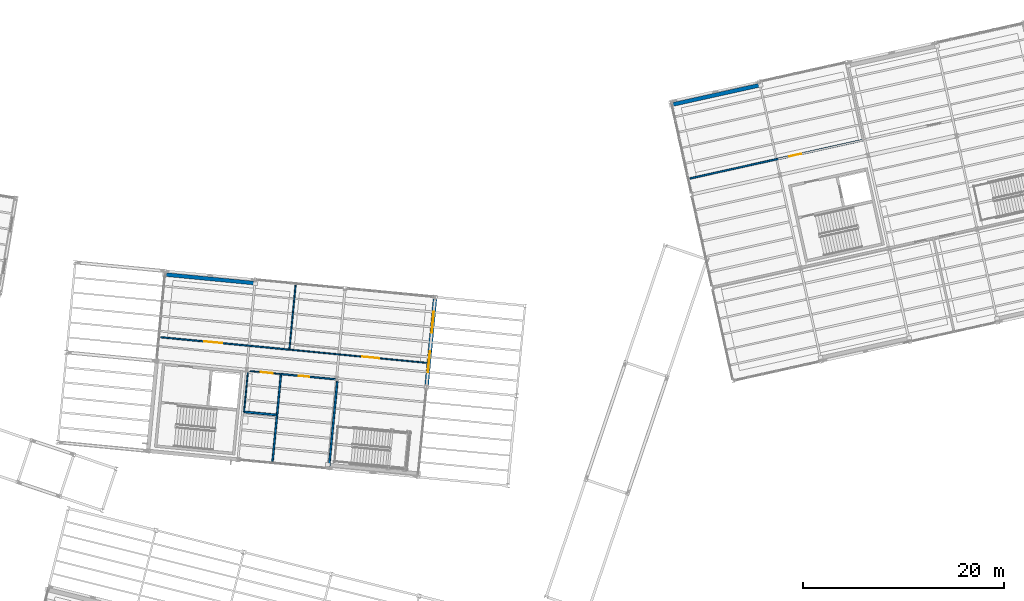
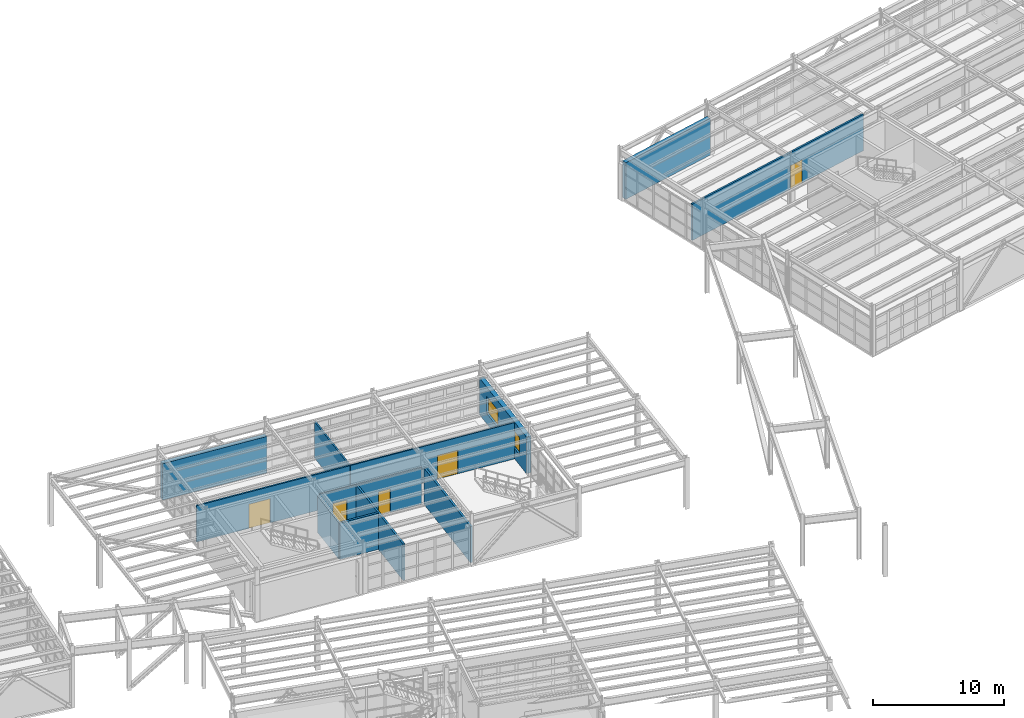
# One storey, part 93 of 109: 13 walls, 5 doors, 2 windows, 7 openings.
"""IFC4 building model written with IfcOpenShell, lengths in metres."""

from ifc_helpers import new_model, si_unit, direction, frame, frame_2d, origin, origin_with_axes, place, context, subcontext, project, spatial, rectangle, extrude, material, layer, layer_set, type_object, element, fill, save


model = new_model("IFC4")

# Units and contexts
model_context = context("Model", 3, precision=1e-05, world=origin(), true_north=direction((0.0, 1.0)))
body_context = subcontext(model_context, "Body", "Model", "MODEL_VIEW")
ifc_project = project(units=[si_unit("LENGTHUNIT", "METRE"), si_unit("AREAUNIT", "SQUARE_METRE"), si_unit("VOLUMEUNIT", "CUBIC_METRE"), si_unit("PLANEANGLEUNIT", "RADIAN"), si_unit("MASSUNIT", "GRAM", prefix="KILO")], contexts=[model_context])

# Site, building, storey
site_placement = place(None, origin())
site = spatial("IfcSite", under=ifc_project, at=site_placement, CompositionType="ELEMENT")
building_placement = place(site_placement, origin())
building = spatial("IfcBuilding", under=site, at=building_placement, Name="Vireo Bluff Cable Station", CompositionType="ELEMENT")
storey_placement = place(building_placement, frame((0.0, 0.0, 4.800048828125)))
storey = spatial("IfcBuildingStorey", under=building, at=storey_placement, Name="L01", CompositionType="ELEMENT", Elevation=4.800048828125)

# Walls
ifc_material_1 = material(Name="Precast concrete f'c 45 MPa", Category="concrete")
ifc_layer_1 = layer(ifc_material_1, 0.3798828125, Name="Precast concrete f'c 45 MPa")
ifc_layer_set_1 = layer_set([ifc_layer_1], Name="Precast concrete f'c 45 MPa")
wall_type_1 = type_object("IfcWallType", Name="EW-PRECAST-380", PredefinedType="SOLIDWALL", material=ifc_layer_set_1)
wall_1_placement = place(storey_placement, frame((69.55908203125, 84.5703125, 0.0), z_axis=(0.0, 0.0, 1.0), x_axis=(0.995394483425, -0.095863561205, 0.0)))
element("IfcWall", 1, at=wall_1_placement, inside=storey, type_object=wall_type_1, Name="V3 L01 north exterior wall 55", PredefinedType="SOLIDWALL", context=body_context, shape_type="SweptSolid", body=[
    extrude(rectangle(XDim=8.740478515625, YDim=0.3798828125, at=frame_2d((4.3701171875, 0.0))), origin(), (0.0, 0.0, 1.0), 3.39990234375),
])
ifc_layer_2 = layer(ifc_material_1, 0.389892578125, Name="Precast concrete f'c 45 MPa")
ifc_layer_set_2 = layer_set([ifc_layer_2], Name="Precast concrete f'c 45 MPa")
wall_type_2 = type_object("IfcWallType", Name="EW-PRECAST-390", PredefinedType="SOLIDWALL", material=ifc_layer_set_2)
wall_2_placement = place(storey_placement, frame((120.031494140625, 101.5205078125, 0.0), z_axis=(0.0, 0.0, 1.0), x_axis=(0.976297355636, 0.216433531086, 0.0)))
element("IfcWall", 2, at=wall_2_placement, inside=storey, type_object=wall_type_2, Name="V2 L01 north exterior wall 36", PredefinedType="SOLIDWALL", context=body_context, shape_type="SweptSolid", body=[
    extrude(rectangle(XDim=8.739990234375, YDim=0.389892578125, at=frame_2d((4.3701171875, 0.0))), origin(), (0.0, 0.0, 1.0), 3.39990234375),
])

# Wall, openings, windows
wall_3_placement = place(storey_placement, frame((96.321533203125, 82.150634765625, 0.0), z_axis=(0.0, 0.0, 1.0), x_axis=(-0.095849788243, -0.995395809763, 0.0)))
wall_3 = element("IfcWall", 3, at=wall_3_placement, inside=storey, type_object=wall_type_2, Name="V3 L01 east exterior wall 56", PredefinedType="SOLIDWALL", context=body_context, shape_type="SweptSolid", body=[
    extrude(rectangle(XDim=8.634765625, YDim=0.389892578125, at=frame_2d((4.3173828125, 0.0))), origin(), (0.0, 0.0, 1.0), 3.39990234375),
])
opening_1_placement = place(wall_3_placement, frame((1.28125, 0.0, 0.949951171875)))
opening_1 = element("IfcOpeningElement", 4, at=opening_1_placement, cuts=wall_3, Name="Opening W-06", PredefinedType="OPENING", context=body_context, shape_type="SweptSolid", body=[
    extrude(rectangle(XDim=2.10009765625, YDim=1.60009765625, at=frame_2d((1.050048828125, 0.800048828125))), frame((0.0, 0.205078125, 0.0), z_axis=(0.0, -1.0, 0.0), x_axis=(1.0, 0.0, 0.0)), (0.0, 0.0, 1.0), 0.409912109375),
])
opening_2_placement = place(wall_3_placement, frame((5.253173828125, 0.0, 0.949951171875)))
opening_2 = element("IfcOpeningElement", 5, at=opening_2_placement, cuts=wall_3, Name="Opening W-06", PredefinedType="OPENING", context=body_context, shape_type="SweptSolid", body=[
    extrude(rectangle(XDim=2.10009765625, YDim=1.60009765625, at=frame_2d((1.050048828125, 0.800048828125))), frame((0.0, 0.205078125, 0.0), z_axis=(0.0, -1.0, 0.0), x_axis=(1.0, 0.0, 0.0)), (0.0, 0.0, 1.0), 0.409912109375),
])
ifc_material_2 = material(Name="Laminated Low-E Insulated Glass", Category="glass")
window_type = type_object("IfcWindowType", Name="WIN-2100X1600", PartitioningType="SINGLE_PANEL", PredefinedType="WINDOW", material=ifc_material_2)
window_1_placement = place(opening_1_placement, origin_with_axes())
window_1 = element("IfcWindow", 6, at=window_1_placement, inside=storey, type_object=window_type, Name="V3 L01 east window 5", OverallHeight=1.60009765625, OverallWidth=2.10009765625, PartitioningType="SINGLE_PANEL", PredefinedType="WINDOW", context=body_context, shape_type="SweptSolid", body=[
    extrude(rectangle(XDim=2.10009765625, YDim=1.60009765625, at=frame_2d((1.050048828125, 0.800048828125))), frame((0.0, 0.030029296875, 0.0), z_axis=(0.0, -1.0, 0.0), x_axis=(1.0, 0.0, 0.0)), (0.0, 0.0, 1.0), 0.06005859375),
])
fill(opening_1, window_1)
window_2_placement = place(opening_2_placement, origin_with_axes())
window_2 = element("IfcWindow", 7, at=window_2_placement, inside=storey, type_object=window_type, Name="V3 L01 east window 6", OverallHeight=1.60009765625, OverallWidth=2.10009765625, PartitioningType="SINGLE_PANEL", PredefinedType="WINDOW", context=body_context, shape_type="SweptSolid", body=[
    extrude(rectangle(XDim=2.10009765625, YDim=1.60009765625, at=frame_2d((1.050048828125, 0.800048828125))), frame((0.0, 0.030029296875, 0.0), z_axis=(0.0, -1.0, 0.0), x_axis=(1.0, 0.0, 0.0)), (0.0, 0.0, 1.0), 0.06005859375),
])
fill(opening_2, window_2)

# Wall, opening, door
ifc_material_3 = material(Name="Fire-Rated Gypsum Board Partition")
ifc_layer_3 = layer(ifc_material_3, 0.110107421875, Name="Fire-Rated Gypsum Board Partition")
ifc_layer_set_3 = layer_set([ifc_layer_3], Name="Fire-Rated Gypsum Board Partition")
wall_type_3 = type_object("IfcWallType", Name="PT-1HR-110", PredefinedType="PARTITIONING", material=ifc_layer_set_3)
wall_4_placement = place(storey_placement, frame((77.898193359375, 74.966796875, 0.0), z_axis=(0.0, 0.0, 1.0), x_axis=(0.995391266015, -0.095896963143, 0.0)))
wall_4 = element("IfcWall", 8, at=wall_4_placement, inside=storey, type_object=wall_type_3, Name="V3 L01 Accessible WC L01-V3 N partition", PredefinedType="PARTITIONING", context=body_context, shape_type="SweptSolid", body=[
    extrude(rectangle(XDim=3.050048828125, YDim=0.110107421875, at=frame_2d((1.52490234375, 0.0))), origin(), (0.0, 0.0, 1.0), 3.3798828125),
])
opening_3_placement = place(wall_4_placement, frame((1.08935546875, 0.0, 0.0)))
opening_3 = element("IfcOpeningElement", 9, at=opening_3_placement, cuts=wall_4, Name="Opening D-0081", PredefinedType="OPENING", context=body_context, shape_type="SweptSolid", body=[
    extrude(rectangle(XDim=1.179931640625, YDim=2.179931640625, at=frame_2d((0.58984375, 1.08984375))), frame((0.0, 0.06494140625, 0.0), z_axis=(0.0, -1.0, 0.0), x_axis=(1.0, 0.0, 0.0)), (0.0, 0.0, 1.0), 0.130126953125),
])
ifc_material_4 = material(Name="Anodized Aluminium 6063-T6", Category="aluminium")
door_type_1 = type_object("IfcDoorType", Name="IDOOR60-1180X2180", OperationType="NOTDEFINED", PredefinedType="DOOR", material=ifc_material_4)
door_1_placement = place(opening_3_placement, origin_with_axes())
door_1 = element("IfcDoor", 10, at=door_1_placement, inside=storey, type_object=door_type_1, Name="V3 L01 Accessible WC L01-V3 door D-0081", OperationType="SINGLE_SWING_RIGHT", OverallHeight=2.179931640625, OverallWidth=1.179931640625, PredefinedType="DOOR", context=body_context, shape_type="SweptSolid", body=[
    extrude(rectangle(XDim=1.179931640625, YDim=2.179931640625, at=frame_2d((0.58984375, 1.08984375))), frame((0.0, 0.02490234375, 0.0), z_axis=(0.0, -1.0, 0.0), x_axis=(1.0, 0.0, 0.0)), (0.0, 0.0, 1.0), 0.050048828125),
])
fill(opening_3, door_1)

ifc_layer_4 = layer(ifc_material_3, 0.1201171875, Name="Fire-Rated Gypsum Board Partition")
ifc_layer_set_4 = layer_set([ifc_layer_4], Name="Fire-Rated Gypsum Board Partition")
wall_type_4 = type_object("IfcWallType", Name="PT-1HR-120", PredefinedType="PARTITIONING", material=ifc_layer_set_4)
wall_5_placement = place(storey_placement, frame((95.537109375, 75.77978515625, 0.0), z_axis=(0.0, 0.0, 1.0), x_axis=(-0.995395873142, 0.095849130052, 0.0)))
wall_5 = element("IfcWall", 11, at=wall_5_placement, inside=storey, type_object=wall_type_4, Name="V3 L01 Operations Archive Room S partition", PredefinedType="PARTITIONING", context=body_context, shape_type="SweptSolid", body=[
    extrude(rectangle(XDim=13.780029296875, YDim=0.1201171875, at=frame_2d((6.89013671875, 0.0))), origin(), (0.0, 0.0, 1.0), 3.3798828125),
])
opening_4_placement = place(wall_5_placement, frame((4.779052734375, 0.0, 0.0)))
opening_4 = element("IfcOpeningElement", 12, at=opening_4_placement, cuts=wall_5, Name="Opening D-0078", PredefinedType="OPENING", context=body_context, shape_type="SweptSolid", body=[
    extrude(rectangle(XDim=1.699951171875, YDim=2.199951171875, at=frame_2d((0.85009765625, 1.10009765625))), frame((0.0, 0.070068359375, 0.0), z_axis=(0.0, -1.0, 0.0), x_axis=(1.0, 0.0, 0.0)), (0.0, 0.0, 1.0), 0.14013671875),
])
door_type_2 = type_object("IfcDoorType", Name="IDOOR60-1700X2200", OperationType="NOTDEFINED", PredefinedType="DOOR", material=ifc_material_4)
door_2_placement = place(opening_4_placement, origin_with_axes())
door_2 = element("IfcDoor", 13, at=door_2_placement, inside=storey, type_object=door_type_2, Name="V3 L01 Operations Archive Room door D-0078", OperationType="DOUBLE_DOOR_SINGLE_SWING", OverallHeight=2.199951171875, OverallWidth=1.699951171875, PredefinedType="DOOR", context=body_context, shape_type="SweptSolid", body=[
    extrude(rectangle(XDim=1.699951171875, YDim=2.199951171875, at=frame_2d((0.85009765625, 1.10009765625))), frame((0.0, 0.02490234375, 0.0), z_axis=(0.0, -1.0, 0.0), x_axis=(1.0, 0.0, 0.0)), (0.0, 0.0, 1.0), 0.050048828125),
])
fill(opening_4, door_2)

# Walls
wall_6_placement = place(storey_placement, frame((77.305908203125, 70.90478515625, 0.0), z_axis=(0.0, 0.0, 1.0), x_axis=(0.095902060697, 0.995390774899, 0.0)))
element("IfcWall", 14, at=wall_6_placement, inside=storey, type_object=wall_type_4, Name="V3 L01 Accessible WC L01-V3 W partition", PredefinedType="PARTITIONING", context=body_context, shape_type="SweptSolid", body=[
    extrude(rectangle(XDim=3.900146484375, YDim=0.1201171875, at=frame_2d((1.9501953125, 0.0))), origin(), (0.0, 0.0, 1.0), 3.3798828125),
])
ifc_layer_5 = layer(ifc_material_3, 0.1298828125, Name="Fire-Rated Gypsum Board Partition")
ifc_layer_set_5 = layer_set([ifc_layer_5], Name="Fire-Rated Gypsum Board Partition")
wall_type_5 = type_object("IfcWallType", Name="PT-1HR-130", PredefinedType="PARTITIONING", material=ifc_layer_set_5)
wall_7_placement = place(storey_placement, frame((81.820556640625, 77.1005859375, 0.0), z_axis=(0.0, 0.0, 1.0), x_axis=(0.095871571659, 0.995393711929, 0.0)))
element("IfcWall", 15, at=wall_7_placement, inside=storey, type_object=wall_type_5, Name="V3 L01 Operations Archive Room W partition", PredefinedType="PARTITIONING", context=body_context, shape_type="SweptSolid", body=[
    extrude(rectangle(XDim=6.429931640625, YDim=0.1298828125, at=frame_2d((3.21484375, 0.0))), origin(), (0.0, 0.0, 1.0), 3.3798828125),
])

# Wall, opening, door
ifc_layer_6 = layer(ifc_material_3, 0.139892578125, Name="Fire-Rated Gypsum Board Partition")
ifc_layer_set_6 = layer_set([ifc_layer_6], Name="Fire-Rated Gypsum Board Partition")
wall_type_6 = type_object("IfcWallType", Name="PT-1HR-140", PredefinedType="PARTITIONING", material=ifc_layer_set_6)
wall_8_placement = place(storey_placement, frame((81.77099609375, 77.10546875, 0.0), z_axis=(0.0, 0.0, 1.0), x_axis=(-0.995395980715, 0.095848012901, 0.0)))
wall_8 = element("IfcWall", 16, at=wall_8_placement, inside=storey, type_object=wall_type_6, Name="V3 L01 Staff Dining and Briefing Room S partition", PredefinedType="PARTITIONING", context=body_context, shape_type="SweptSolid", body=[
    extrude(rectangle(XDim=12.830078125, YDim=0.139892578125, at=frame_2d((6.4150390625, 0.0))), origin(), (0.0, 0.0, 1.0), 3.3798828125),
])
opening_5_placement = place(wall_8_placement, frame((6.64990234375, 0.0, 0.0)))
opening_5 = element("IfcOpeningElement", 17, at=opening_5_placement, cuts=wall_8, Name="Opening D-0079", PredefinedType="OPENING", context=body_context, shape_type="SweptSolid", body=[
    extrude(rectangle(XDim=1.800048828125, YDim=2.25, at=frame_2d((0.89990234375, 1.125))), frame((0.0, 0.080078125, 0.0), z_axis=(0.0, -1.0, 0.0), x_axis=(1.0, 0.0, 0.0)), (0.0, 0.0, 1.0), 0.159912109375),
])
door_type_3 = type_object("IfcDoorType", Name="IDOOR60-1800X2250", OperationType="NOTDEFINED", PredefinedType="DOOR", material=ifc_material_4)
door_3_placement = place(opening_5_placement, origin_with_axes())
door_3 = element("IfcDoor", 18, at=door_3_placement, inside=storey, type_object=door_type_3, Name="V3 L01 Staff Dining and Briefing Room door D-0079", OperationType="DOUBLE_DOOR_SINGLE_SWING", OverallHeight=2.25, OverallWidth=1.800048828125, PredefinedType="DOOR", context=body_context, shape_type="SweptSolid", body=[
    extrude(rectangle(XDim=1.800048828125, YDim=2.25, at=frame_2d((0.89990234375, 1.125))), frame((0.0, 0.02490234375, 0.0), z_axis=(0.0, -1.0, 0.0), x_axis=(1.0, 0.0, 0.0)), (0.0, 0.0, 1.0), 0.050048828125),
])
fill(opening_5, door_3)

ifc_layer_7 = layer(ifc_material_3, 0.14990234375, Name="Fire-Rated Gypsum Board Partition")
ifc_layer_set_7 = layer_set([ifc_layer_7], Name="Fire-Rated Gypsum Board Partition")
wall_type_7 = type_object("IfcWallType", Name="PT-1HR-150", PredefinedType="PARTITIONING", material=ifc_layer_set_7)
wall_9_placement = place(storey_placement, frame((80.98388671875, 74.669677734375, 0.0), z_axis=(0.0, 0.0, 1.0), x_axis=(0.995394243516, -0.095866052256, 0.0)))
wall_9 = element("IfcWall", 19, at=wall_9_placement, inside=storey, type_object=wall_type_7, Name="V3 L01 Terminal Administration Office N partition", PredefinedType="PARTITIONING", context=body_context, shape_type="SweptSolid", body=[
    extrude(rectangle(XDim=5.449951171875, YDim=0.14990234375, at=frame_2d((2.72509765625, 0.0))), origin(), (0.0, 0.0, 1.0), 3.3798828125),
])
opening_6_placement = place(wall_9_placement, frame((1.79150390625, 0.0, 0.0)))
opening_6 = element("IfcOpeningElement", 20, at=opening_6_placement, cuts=wall_9, Name="Opening D-0080", PredefinedType="OPENING", context=body_context, shape_type="SweptSolid", body=[
    extrude(rectangle(XDim=1.02001953125, YDim=2.179931640625, at=frame_2d((0.510009765625, 1.08984375))), frame((0.0, 0.0849609375, 0.0), z_axis=(0.0, -1.0, 0.0), x_axis=(1.0, 0.0, 0.0)), (0.0, 0.0, 1.0), 0.169921875),
])
door_type_4 = type_object("IfcDoorType", Name="IDOOR60-1020X2180", OperationType="NOTDEFINED", PredefinedType="DOOR", material=ifc_material_4)
door_4_placement = place(opening_6_placement, origin_with_axes())
door_4 = element("IfcDoor", 21, at=door_4_placement, inside=storey, type_object=door_type_4, Name="V3 L01 Terminal Administration Office door D-0080", OperationType="SINGLE_SWING_LEFT", OverallHeight=2.179931640625, OverallWidth=1.02001953125, PredefinedType="DOOR", context=body_context, shape_type="SweptSolid", body=[
    extrude(rectangle(XDim=1.02001953125, YDim=2.179931640625, at=frame_2d((0.510009765625, 1.08984375))), frame((0.0, 0.02490234375, 0.0), z_axis=(0.0, -1.0, 0.0), x_axis=(1.0, 0.0, 0.0)), (0.0, 0.0, 1.0), 0.050048828125),
])
fill(opening_6, door_4)

# Walls
ifc_layer_8 = layer(ifc_material_3, 0.1650390625, Name="Fire-Rated Gypsum Board Partition")
ifc_layer_set_8 = layer_set([ifc_layer_8], Name="Fire-Rated Gypsum Board Partition")
wall_type_8 = type_object("IfcWallType", Name="PT-1HR-165", PredefinedType="PARTITIONING", material=ifc_layer_set_8)
wall_10_placement = place(storey_placement, frame((80.14697265625, 65.979736328125, 0.0), z_axis=(0.0, 0.0, 1.0), x_axis=(0.095864805261, 0.995394363613, 0.0)))
element("IfcWall", 22, at=wall_10_placement, inside=storey, type_object=wall_type_8, Name="V3 L01 Terminal Administration Office W partition", PredefinedType="PARTITIONING", context=body_context, shape_type="SweptSolid", body=[
    extrude(rectangle(XDim=8.730224609375, YDim=0.1650390625, at=frame_2d((4.365234375, 0.0))), origin(), (0.0, 0.0, 1.0), 3.3798828125),
])
ifc_layer_9 = layer(ifc_material_3, 0.175048828125, Name="Fire-Rated Gypsum Board Partition")
ifc_layer_set_9 = layer_set([ifc_layer_9], Name="Fire-Rated Gypsum Board Partition")
wall_type_9 = type_object("IfcWallType", Name="PT-1HR-175", PredefinedType="PARTITIONING", material=ifc_layer_set_9)
wall_11_placement = place(storey_placement, frame((86.588623046875, 73.928955078125, 0.0), z_axis=(0.0, 0.0, 1.0), x_axis=(-0.095853111028, -0.995395489796, 0.0)))
element("IfcWall", 23, at=wall_11_placement, inside=storey, type_object=wall_type_9, Name="V3 L01 Terminal Administration Office E partition", PredefinedType="PARTITIONING", context=body_context, shape_type="SweptSolid", body=[
    extrude(rectangle(XDim=8.530029296875, YDim=0.175048828125, at=frame_2d((4.26513671875, 0.0))), origin(), (0.0, 0.0, 1.0), 3.3798828125),
])
ifc_layer_10 = layer(ifc_material_3, 0.18994140625, Name="Fire-Rated Gypsum Board Partition")
ifc_layer_set_10 = layer_set([ifc_layer_10], Name="Fire-Rated Gypsum Board Partition")
wall_type_10 = type_object("IfcWallType", Name="PT-1HR-190", PredefinedType="PARTITIONING", material=ifc_layer_set_10)
wall_12_placement = place(storey_placement, frame((80.541015625, 70.59326171875, 0.0), z_axis=(0.0, 0.0, 1.0), x_axis=(-0.995395669293, 0.095851247002, 0.0)))
element("IfcWall", 24, at=wall_12_placement, inside=storey, type_object=wall_type_10, Name="V3 L01 Accessible WC L01-V3 S partition", PredefinedType="PARTITIONING", context=body_context, shape_type="SweptSolid", body=[
    extrude(rectangle(XDim=3.25, YDim=0.18994140625, at=frame_2d((1.625, 0.0))), origin(), (0.0, 0.0, 1.0), 3.3798828125),
])

# Wall, opening, door
ifc_layer_11 = layer(ifc_material_3, 0.159912109375, Name="Fire-Rated Gypsum Board Partition")
ifc_layer_set_11 = layer_set([ifc_layer_11], Name="Fire-Rated Gypsum Board Partition")
wall_type_11 = type_object("IfcWallType", Name="PT-2HR-160", PredefinedType="PARTITIONING", material=ifc_layer_set_11)
wall_13_placement = place(storey_placement, frame((138.96826171875, 97.97509765625, 0.0), z_axis=(0.0, 0.0, 1.0), x_axis=(-0.976296107332, -0.216439161912, 0.0)))
wall_13 = element("IfcWall", 25, at=wall_13_placement, inside=storey, type_object=wall_type_11, Name="V2 L01 Heat-Recovery Chiller Plant S partition", PredefinedType="PARTITIONING", context=body_context, shape_type="SweptSolid", body=[
    extrude(rectangle(XDim=17.68017578125, YDim=0.159912109375, at=frame_2d((8.840087890625, 0.0))), origin(), (0.0, 0.0, 1.0), 3.3798828125),
])
opening_7_placement = place(wall_13_placement, frame((6.321044921875, 0.0, 0.0)))
opening_7 = element("IfcOpeningElement", 26, at=opening_7_placement, cuts=wall_13, Name="Opening D-0065", PredefinedType="OPENING", context=body_context, shape_type="SweptSolid", body=[
    extrude(rectangle(XDim=1.199951171875, YDim=2.14990234375, at=frame_2d((0.60009765625, 1.074951171875))), frame((0.0, 0.08984375, 0.0), z_axis=(0.0, -1.0, 0.0), x_axis=(1.0, 0.0, 0.0)), (0.0, 0.0, 1.0), 0.179931640625),
])
ifc_material_5 = material(Name="Stainless Steel 316", Category="steel")
door_type_5 = type_object("IfcDoorType", Name="IDOOR90-1200X2150", OperationType="NOTDEFINED", PredefinedType="DOOR", material=ifc_material_5)
door_5_placement = place(opening_7_placement, origin_with_axes())
door_5 = element("IfcDoor", 27, at=door_5_placement, inside=storey, type_object=door_type_5, Name="V2 L01 Heat-Recovery Chiller Plant door D-0065", OperationType="SINGLE_SWING_RIGHT", OverallHeight=2.14990234375, OverallWidth=1.199951171875, PredefinedType="DOOR", context=body_context, shape_type="SweptSolid", body=[
    extrude(rectangle(XDim=1.199951171875, YDim=2.14990234375, at=frame_2d((0.60009765625, 1.074951171875))), frame((0.0, 0.02490234375, 0.0), z_axis=(0.0, -1.0, 0.0), x_axis=(1.0, 0.0, 0.0)), (0.0, 0.0, 1.0), 0.050048828125),
])
fill(opening_7, door_5)

save(model, "model.ifc")
